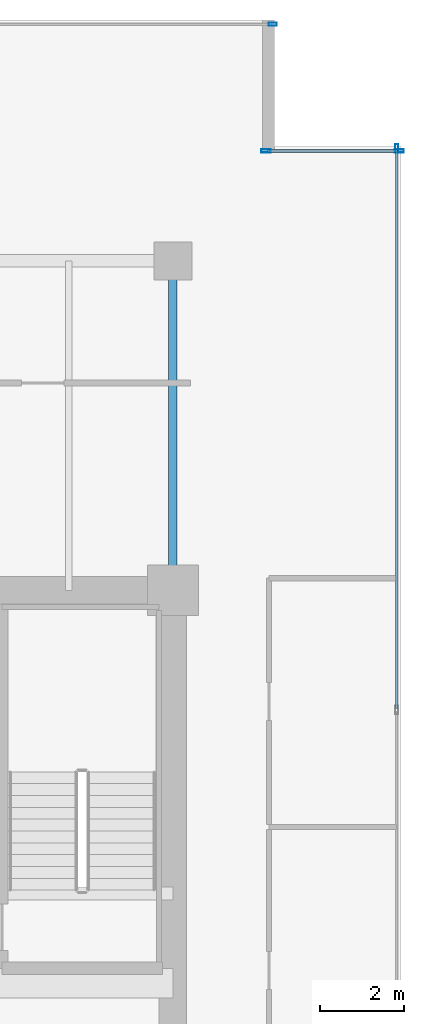
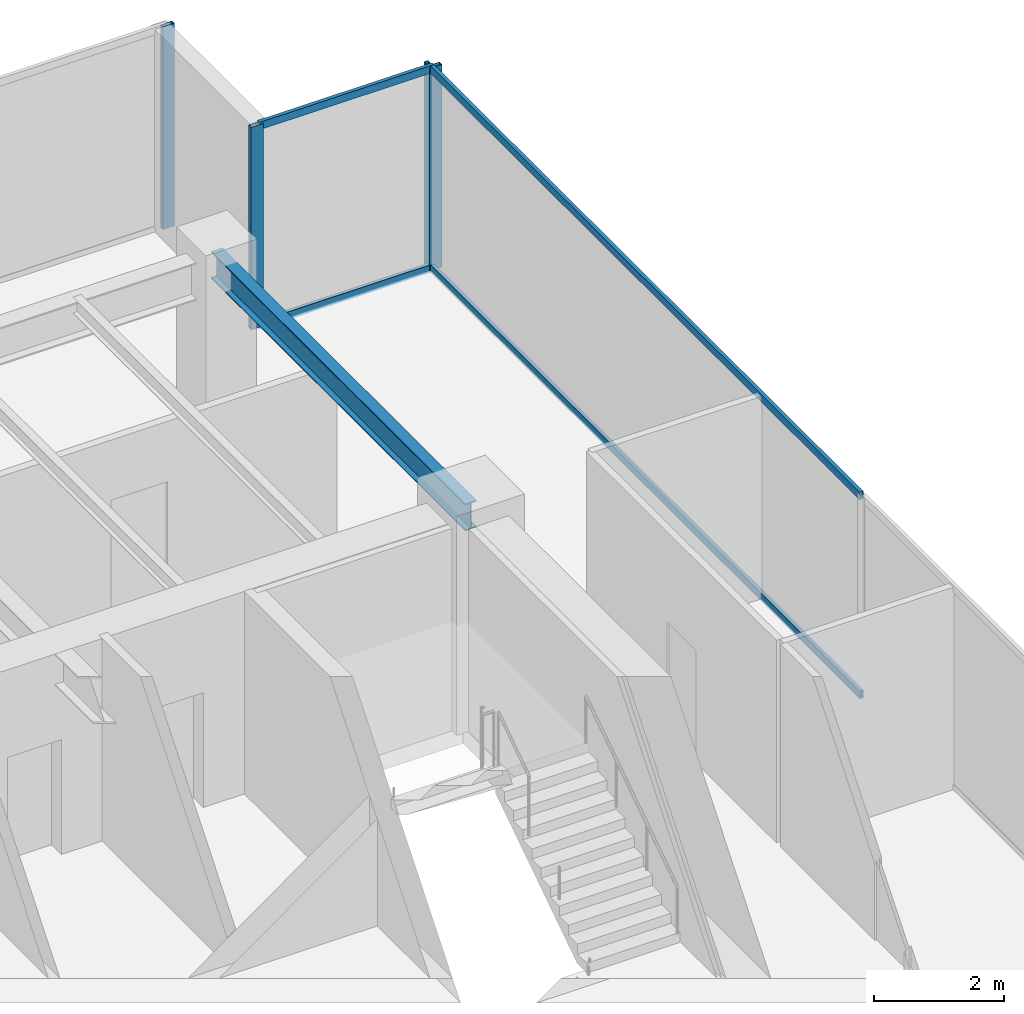
# One storey, part 23 of 31: 8 members, 1 beam, 3 elements without a shape of their own.
"""IFC4 building model written with IfcOpenShell, lengths in metres."""

from ifc_helpers import new_model, si_unit, direction, frame, origin, origin_2d, place, context, subcontext, project, spatial, hollow_rectangle, i_section, extrude, source, transform, mapped, material, layer, layer_set, material_profile, profile_set, type_object, type_shapes, element, aggregate, save


model = new_model("IFC4")

# Units and contexts
model_context = context("Model", 3, precision=1e-05, world=origin(), true_north=direction((0.0, 1.0)))
body_context = subcontext(model_context, "Body", "Model", "MODEL_VIEW")
ifc_project = project(units=[si_unit("LENGTHUNIT", "METRE"), si_unit("AREAUNIT", "SQUARE_METRE"), si_unit("VOLUMEUNIT", "CUBIC_METRE"), si_unit("PLANEANGLEUNIT", "RADIAN"), si_unit("MASSUNIT", "GRAM", prefix="KILO")], contexts=[model_context])

# Site, building, storey
site_placement = place(None, origin())
site = spatial("IfcSite", under=ifc_project, at=site_placement, CompositionType="ELEMENT")
building_placement = place(site_placement, origin())
building = spatial("IfcBuilding", under=site, at=building_placement, Name="Haelvirn Gate Laboratories", CompositionType="ELEMENT")
storey_placement = place(building_placement, frame((0.0, 0.0, 154.300048828125)))
storey = spatial("IfcBuildingStorey", under=building, at=storey_placement, Name="L37", CompositionType="ELEMENT", Elevation=154.300048828125)

# Beam
ifc_material_1 = material(Name="Steel SM355", Category="steel")
ifc_material_profile_1 = material_profile(ifc_material_1, i_section(OverallWidth=0.199951171875, OverallDepth=0.5, WebThickness=0.010009765625, FlangeThickness=0.01611328125, at=origin_2d()), Name="H-500x200x10x16")
ifc_profile_set_1 = profile_set([ifc_material_profile_1], Name="Steel SM355")
beam_type = type_object("IfcBeamType", Name="BM-SP-500", PredefinedType="SPANDREL", material=ifc_profile_set_1)
shared_shape_1 = source(origin(), body_context, "Body", "SweptSolid", [
    extrude(i_section(OverallWidth=0.199951171875, OverallDepth=0.5, WebThickness=0.010009765625, FlangeThickness=0.01611328125, at=origin_2d()), origin(), (0.0, 0.0, 1.0), 7.800048828125),
])
type_shapes(beam_type, [shared_shape_1])
beam_placement = place(storey_placement, frame((67.39990234375, 33.800048828125, 3.5400390625), z_axis=(0.0, 1.0, 0.0), x_axis=(-1.0, 0.0, 0.0)))
element("IfcBeam", 1, at=beam_placement, inside=storey, type_object=beam_type, Name="L37 Perimeter Spandrel X67.4 (33.8-41.6)", PredefinedType="SPANDREL", context=body_context, shape_type="MappedRepresentation", body=[
    mapped(shared_shape_1, transform((0.0, 0.0, 0.0), scale=1.0)),
])

# Curtain wall, members
ifc_material_2 = material(Name="Anodised bronze unitised aluminium & triple low-E glass", Category="aluminium")
ifc_layer_1 = layer(ifc_material_2, 0.181884765625, Name="CW-SYS-5")
ifc_layer_set_1 = layer_set([ifc_layer_1], Name="Anodised bronze unitised aluminium & triple low-E glass")
curtain_wall_type_1 = type_object("IfcCurtainWallType", Name="CW-SYS-5", PredefinedType="NOTDEFINED", material=ifc_layer_set_1)
curtain_wall_1_placement = place(storey_placement, origin())
curtain_wall_1 = element("IfcCurtainWall", 2, at=curtain_wall_1_placement, inside=storey, type_object=curtain_wall_type_1, Name="L37 Unitised Curtain Wall CW-L37-P0-E08-1", PredefinedType="NOTDEFINED")
ifc_material_3 = material(Name="Extruded aluminium 6063-T6 (anodised bronze)", Category="aluminium")
ifc_material_profile_2 = material_profile(ifc_material_3, hollow_rectangle(XDim=0.06494140625, YDim=0.139892578125, WallThickness=0.00390625, at=origin_2d()), Name="CWT-140x65x4")
ifc_profile_set_2 = profile_set([ifc_material_profile_2], Name="Extruded aluminium 6063-T6 (anodised bronze)")
member_type_1 = type_object("IfcMemberType", Name="CWT-T140", PredefinedType="USERDEFINED", material=ifc_profile_set_2)
shared_shape_2 = source(origin(), body_context, "Body", "SweptSolid", [
    extrude(hollow_rectangle(XDim=0.06494140625, YDim=0.139892578125, WallThickness=0.00390625, at=origin_2d()), origin(), (0.0, 0.0, 1.0), 3.080078125),
])
member_1_placement = place(storey_placement, frame((69.639892578125, 44.199951171875, 0.032470703125), z_axis=(1.0, 0.0, 0.0), x_axis=(0.0, 1.0, 0.0)))
member_1 = element("IfcMember", 3, at=member_1_placement, type_object=member_type_1, Name="CW5 transom 1.1", ObjectType="TRANSOM", PredefinedType="USERDEFINED", context=body_context, shape_type="MappedRepresentation", body=[
    mapped(shared_shape_2, transform((0.0, 0.0, 0.0), scale=1.0)),
])
member_2_placement = place(storey_placement, frame((69.639892578125, 44.199951171875, 3.757568359375), z_axis=(1.0, 0.0, 0.0), x_axis=(0.0, 1.0, 0.0)))
member_2 = element("IfcMember", 4, at=member_2_placement, type_object=member_type_1, Name="CW5 transom 1.2", ObjectType="TRANSOM", PredefinedType="USERDEFINED", context=body_context, shape_type="MappedRepresentation", body=[
    mapped(shared_shape_2, transform((0.0, 0.0, 0.0), scale=1.0)),
])

ifc_layer_2 = layer(ifc_material_2, 0.179931640625, Name="CW-SYS-3")
ifc_layer_set_2 = layer_set([ifc_layer_2], Name="Anodised bronze unitised aluminium & triple low-E glass")
curtain_wall_type_2 = type_object("IfcCurtainWallType", Name="CW-SYS-3", PredefinedType="NOTDEFINED", material=ifc_layer_set_2)
curtain_wall_2_placement = place(storey_placement, origin())
curtain_wall_2 = element("IfcCurtainWall", 5, at=curtain_wall_2_placement, inside=storey, type_object=curtain_wall_type_2, Name="L37 Unitised Curtain Wall CW-L37-P0-E07", PredefinedType="NOTDEFINED")
shared_shape_3 = source(origin(), body_context, "Body", "SweptSolid", [
    extrude(hollow_rectangle(XDim=0.06494140625, YDim=0.139892578125, WallThickness=0.00390625, at=origin_2d()), origin(), (0.0, 0.0, 1.0), 13.220947265625),
])
type_shapes(member_type_1, [shared_shape_2, shared_shape_3])
member_3_placement = place(storey_placement, frame((72.699951171875, 31.004150390625, 0.032470703125), z_axis=(0.0, 1.0, 0.0), x_axis=(-1.0, 0.0, 0.0)))
member_3 = element("IfcMember", 6, at=member_3_placement, type_object=member_type_1, Name="CW3 transom 3.1", ObjectType="TRANSOM", PredefinedType="USERDEFINED", context=body_context, shape_type="MappedRepresentation", body=[
    mapped(shared_shape_3, transform((0.0, 0.0, 0.0), scale=1.0)),
])
member_4_placement = place(storey_placement, frame((72.699951171875, 31.004150390625, 3.757568359375), z_axis=(0.0, 1.0, 0.0), x_axis=(-1.0, 0.0, 0.0)))
member_4 = element("IfcMember", 7, at=member_4_placement, type_object=member_type_1, Name="CW3 transom 3.2", ObjectType="TRANSOM", PredefinedType="USERDEFINED", context=body_context, shape_type="MappedRepresentation", body=[
    mapped(shared_shape_3, transform((0.0, 0.0, 0.0), scale=1.0)),
])
ifc_material_profile_3 = material_profile(ifc_material_3, hollow_rectangle(XDim=0.074951171875, YDim=0.199951171875, WallThickness=0.0048828125, at=origin_2d()), Name="CWM-200x75x5")
ifc_profile_set_3 = profile_set([ifc_material_profile_3], Name="Extruded aluminium 6063-T6 (anodised bronze)")
member_type_2 = type_object("IfcMemberType", Name="CWM-T200", PredefinedType="MULLION", material=ifc_profile_set_3)
shared_shape_4 = source(origin(), body_context, "Body", "SweptSolid", [
    extrude(hollow_rectangle(XDim=0.074951171875, YDim=0.199951171875, WallThickness=0.0048828125, at=origin_2d()), origin(), (0.0, 0.0, 1.0), 3.7900390625),
])
type_shapes(member_type_2, [shared_shape_4])
member_5_placement = place(storey_placement, frame((72.699951171875, 44.262451171875, 0.0), z_axis=(0.0, 0.0, 1.0), x_axis=(-1.0, 0.0, 0.0)))
member_5 = element("IfcMember", 8, at=member_5_placement, type_object=member_type_2, Name="CW3 mullion 4", PredefinedType="MULLION", context=body_context, shape_type="MappedRepresentation", body=[
    mapped(shared_shape_4, transform((0.0, 0.0, 0.0), scale=1.0)),
])
aggregate(curtain_wall_2, [member_5, member_3, member_4])

# Curtain wall, member
curtain_wall_3_placement = place(storey_placement, origin())
curtain_wall_3 = element("IfcCurtainWall", 9, at=curtain_wall_3_placement, inside=storey, type_object=curtain_wall_type_2, Name="L37 Unitised Curtain Wall CW-L37-P0-E10-1", PredefinedType="NOTDEFINED")
member_6_placement = place(storey_placement, frame((69.762451171875, 47.199951171875, 0.0), z_axis=(0.0, 0.0, 1.0), x_axis=(0.0, 1.0, 0.0)))
member_6 = element("IfcMember", 10, at=member_6_placement, type_object=member_type_2, Name="CW3 mullion 3", PredefinedType="MULLION", context=body_context, shape_type="MappedRepresentation", body=[
    mapped(shared_shape_4, transform((0.0, 0.0, 0.0), scale=1.0)),
])
aggregate(curtain_wall_3, [member_6])

# Member
ifc_material_profile_4 = material_profile(ifc_material_3, hollow_rectangle(XDim=0.080078125, YDim=0.219970703125, WallThickness=0.006103515625, at=origin_2d()), Name="CWM-220x80x6")
ifc_profile_set_4 = profile_set([ifc_material_profile_4], Name="Extruded aluminium 6063-T6 (anodised bronze)")
member_type_3 = type_object("IfcMemberType", Name="CWM-T220", PredefinedType="MULLION", material=ifc_profile_set_4)
shared_shape_5 = source(origin(), body_context, "Body", "SweptSolid", [
    extrude(hollow_rectangle(XDim=0.080078125, YDim=0.219970703125, WallThickness=0.006103515625, at=origin_2d()), origin(), (0.0, 0.0, 1.0), 3.7900390625),
])
type_shapes(member_type_3, [shared_shape_5])
member_7_placement = place(storey_placement, frame((69.60009765625, 44.199951171875, 0.0), z_axis=(0.0, 0.0, 1.0), x_axis=(0.0, 1.0, 0.0)))
member_7 = element("IfcMember", 11, at=member_7_placement, type_object=member_type_3, Name="CW5 mullion 1", PredefinedType="MULLION", context=body_context, shape_type="MappedRepresentation", body=[
    mapped(shared_shape_5, transform((0.0, 0.0, 0.0), scale=1.0)),
])

member_8_placement = place(storey_placement, frame((72.760009765625, 44.199951171875, 0.0), z_axis=(0.0, 0.0, 1.0), x_axis=(0.0, 1.0, 0.0)))
member_8 = element("IfcMember", 12, at=member_8_placement, type_object=member_type_3, Name="CW5 mullion 2", PredefinedType="MULLION", context=body_context, shape_type="MappedRepresentation", body=[
    mapped(shared_shape_5, transform((0.0, 0.0, 0.0), scale=1.0)),
])

aggregate(curtain_wall_1, [member_7, member_8, member_1, member_2])

save(model, "model.ifc")
